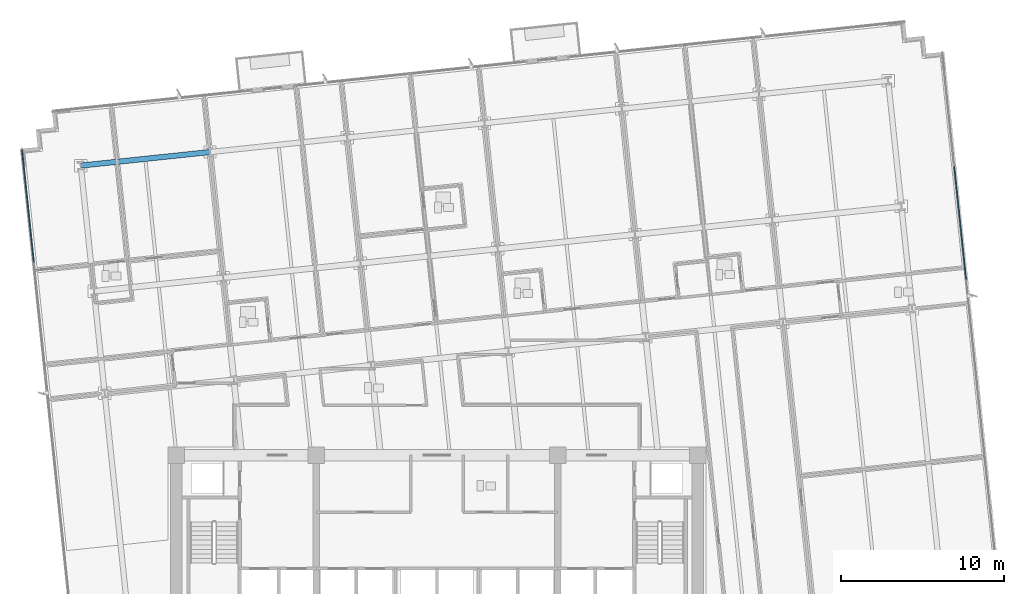
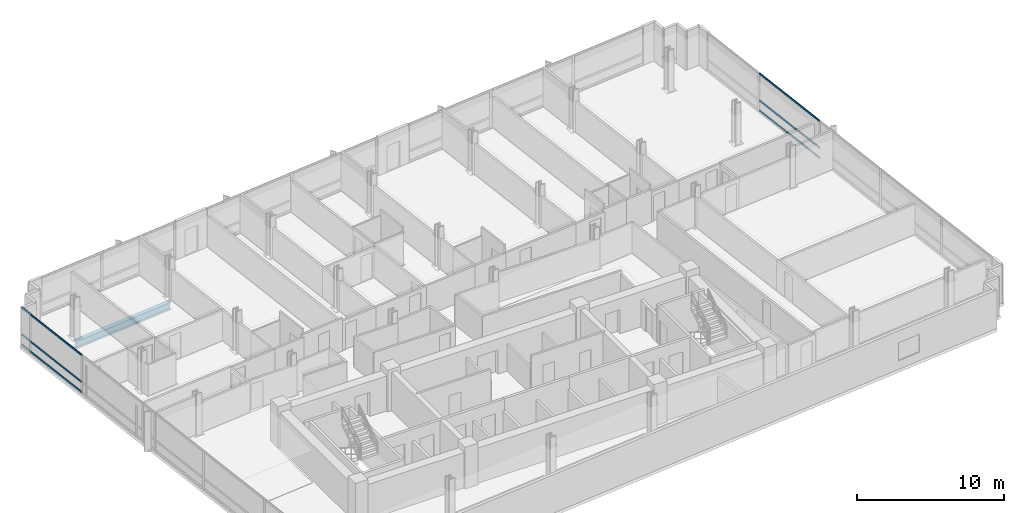
# One storey, part 6 of 19: 6 members, 1 beam, 2 elements without a shape of their own.
"""IFC4 building model written with IfcOpenShell, lengths in metres."""

from ifc_helpers import new_model, si_unit, direction, frame, origin, origin_2d, place, context, subcontext, project, spatial, rectangle, i_section, extrude, material, material_profile, profile_set, type_object, element, aggregate, save


model = new_model("IFC4")

# Units and contexts
model_context = context("Model", 3, precision=1e-05, world=origin(), true_north=direction((0.0, 1.0)))
body_context = subcontext(model_context, "Body", "Model", "MODEL_VIEW")
ifc_project = project(units=[si_unit("LENGTHUNIT", "METRE"), si_unit("AREAUNIT", "SQUARE_METRE"), si_unit("VOLUMEUNIT", "CUBIC_METRE"), si_unit("PLANEANGLEUNIT", "RADIAN"), si_unit("MASSUNIT", "GRAM", prefix="KILO")], contexts=[model_context])

# Site, building, storey
site_placement = place(None, origin())
site = spatial("IfcSite", under=ifc_project, at=site_placement, CompositionType="ELEMENT")
building_placement = place(site_placement, origin())
building = spatial("IfcBuilding", under=site, at=building_placement, Name="Solmavex Isthmus Hotel", CompositionType="ELEMENT")
storey_placement = place(building_placement, frame((0.0, 0.0, 83.550048828125)))
storey = spatial("IfcBuildingStorey", under=building, at=storey_placement, Name="L22", CompositionType="ELEMENT", Elevation=83.550048828125)

# Beam
ifc_material_1 = material(Name="Steel ASTM A992 Grade 50", Category="steel")
ifc_material_profile_1 = material_profile(ifc_material_1, i_section(OverallWidth=0.326416015625, OverallDepth=0.621826171875, WebThickness=0.015380859375, FlangeThickness=0.0244140625, FilletRadius=0.01513671875, at=origin_2d()), Name="W24X131")
ifc_profile_set_1 = profile_set([ifc_material_profile_1], Name="Steel ASTM A992 Grade 50")
beam_type = type_object("IfcBeamType", Name="BM-SP-W24X131", PredefinedType="SPANDREL", material=ifc_profile_set_1)
beam_placement = place(storey_placement, frame((-21.851806640625, 15.2587890625, -0.571044921875), z_axis=(0.994523402738, 0.104514120609, 0.0), x_axis=(-0.104514120609, 0.994523402738, 0.0)))
element("IfcBeam", 1, at=beam_placement, inside=storey, type_object=beam_type, Name="Floor Girder L22-UG19", PredefinedType="SPANDREL", context=body_context, shape_type="SweptSolid", body=[
    extrude(i_section(OverallWidth=0.326416015625, OverallDepth=0.621826171875, WebThickness=0.015380859375, FlangeThickness=0.0244140625, FilletRadius=0.01513671875, at=origin_2d()), origin(), (0.0, 0.0, 1.0), 7.968017578125),
])

# Curtain wall, members
ifc_material_2 = material(Name="Aluminium alloy 6063-T6", Category="aluminium")
curtain_wall_type = type_object("IfcCurtainWallType", Name="CW-SYS-03", PredefinedType="NOTDEFINED", material=ifc_material_2)
curtain_wall_1_placement = place(storey_placement, origin())
curtain_wall_1 = element("IfcCurtainWall", 2, at=curtain_wall_1_placement, inside=storey, type_object=curtain_wall_type, Name="Stick Curtain Wall CWL-L22-W1", PredefinedType="NOTDEFINED")
ifc_material_profile_2 = material_profile(ifc_material_2, rectangle(XDim=0.070068359375, YDim=0.139892578125, at=origin_2d()), Name="CWT-70X140")
ifc_profile_set_2 = profile_set([ifc_material_profile_2], Name="Aluminium alloy 6063-T6")
member_type = type_object("IfcMemberType", Name="CW-SYS-03-TRN", PredefinedType="USERDEFINED", material=ifc_profile_set_2)
member_1_placement = place(storey_placement, frame((-24.728759765625, 9.340576171875, 0.070068359375), z_axis=(-0.104539595565, 0.994520725254, 0.0), x_axis=(-0.994520725254, -0.104539595565, 0.0)))
member_1 = element("IfcMember", 3, at=member_1_placement, type_object=member_type, Name="CW-03 transom 5.1", ObjectType="TRANSOM", PredefinedType="USERDEFINED", context=body_context, shape_type="SweptSolid", body=[
    extrude(rectangle(XDim=0.070068359375, YDim=0.139892578125, at=origin_2d()), origin(), (0.0, 0.0, 1.0), 6.9150390625),
])
member_2_placement = place(storey_placement, frame((-24.728759765625, 9.340576171875, 0.89990234375), z_axis=(-0.104539595565, 0.994520725254, 0.0), x_axis=(-0.994520725254, -0.104539595565, 0.0)))
member_2 = element("IfcMember", 4, at=member_2_placement, type_object=member_type, Name="CW-03 transom 5.2", ObjectType="TRANSOM", PredefinedType="USERDEFINED", context=body_context, shape_type="SweptSolid", body=[
    extrude(rectangle(XDim=0.070068359375, YDim=0.139892578125, at=origin_2d()), origin(), (0.0, 0.0, 1.0), 6.9150390625),
])
member_3_placement = place(storey_placement, frame((-24.728759765625, 9.340576171875, 3.119873046875), z_axis=(-0.104539595565, 0.994520725254, 0.0), x_axis=(-0.994520725254, -0.104539595565, 0.0)))
member_3 = element("IfcMember", 5, at=member_3_placement, type_object=member_type, Name="CW-03 transom 5.3", ObjectType="TRANSOM", PredefinedType="USERDEFINED", context=body_context, shape_type="SweptSolid", body=[
    extrude(rectangle(XDim=0.070068359375, YDim=0.139892578125, at=origin_2d()), origin(), (0.0, 0.0, 1.0), 6.9150390625),
])
aggregate(curtain_wall_1, [member_1, member_2, member_3])

curtain_wall_2_placement = place(storey_placement, origin())
curtain_wall_2 = element("IfcCurtainWall", 6, at=curtain_wall_2_placement, inside=storey, type_object=curtain_wall_type, Name="Stick Curtain Wall CWL-L22-E1", PredefinedType="NOTDEFINED")
member_4_placement = place(storey_placement, frame((32.4541015625, 8.2919921875, 0.070068359375), z_axis=(-0.104538500317, 0.994520840381, 0.0), x_axis=(-0.994520840381, -0.104538500317, 0.0)))
member_4 = element("IfcMember", 7, at=member_4_placement, type_object=member_type, Name="CW-03 transom 4.1", ObjectType="TRANSOM", PredefinedType="USERDEFINED", context=body_context, shape_type="SweptSolid", body=[
    extrude(rectangle(XDim=0.070068359375, YDim=0.139892578125, at=origin_2d()), origin(), (0.0, 0.0, 1.0), 6.9501953125),
])
member_5_placement = place(storey_placement, frame((32.4541015625, 8.2919921875, 0.89990234375), z_axis=(-0.104538500317, 0.994520840381, 0.0), x_axis=(-0.994520840381, -0.104538500317, 0.0)))
member_5 = element("IfcMember", 8, at=member_5_placement, type_object=member_type, Name="CW-03 transom 4.2", ObjectType="TRANSOM", PredefinedType="USERDEFINED", context=body_context, shape_type="SweptSolid", body=[
    extrude(rectangle(XDim=0.070068359375, YDim=0.139892578125, at=origin_2d()), origin(), (0.0, 0.0, 1.0), 6.9501953125),
])
member_6_placement = place(storey_placement, frame((32.4541015625, 8.2919921875, 3.119873046875), z_axis=(-0.104538500317, 0.994520840381, 0.0), x_axis=(-0.994520840381, -0.104538500317, 0.0)))
member_6 = element("IfcMember", 9, at=member_6_placement, type_object=member_type, Name="CW-03 transom 4.3", ObjectType="TRANSOM", PredefinedType="USERDEFINED", context=body_context, shape_type="SweptSolid", body=[
    extrude(rectangle(XDim=0.070068359375, YDim=0.139892578125, at=origin_2d()), origin(), (0.0, 0.0, 1.0), 6.9501953125),
])
aggregate(curtain_wall_2, [member_4, member_5, member_6])

save(model, "model.ifc")
